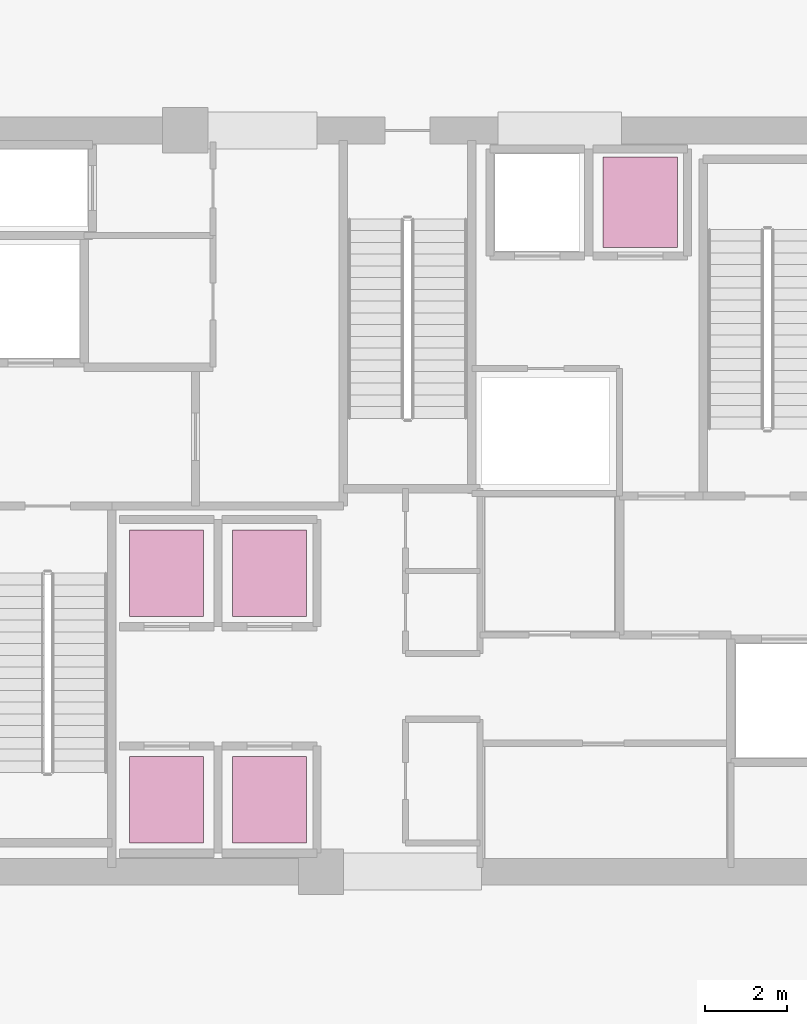
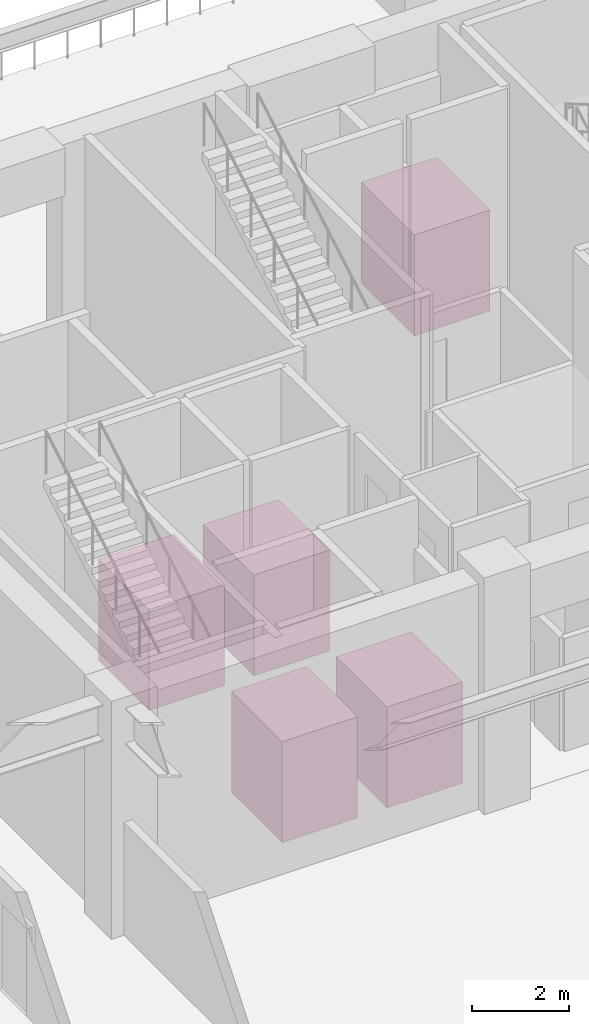
# One storey, part 41 of 41: 5 transport elements.
"""IFC4 building model written with IfcOpenShell, lengths in metres."""

from ifc_helpers import new_model, si_unit, direction, frame, origin, origin_2d, place, context, subcontext, project, spatial, rectangle, extrude, material, type_object, element, save


model = new_model("IFC4")

# Units and contexts
model_context = context("Model", 3, precision=1e-05, world=origin(), true_north=direction((0.0, 1.0)))
body_context = subcontext(model_context, "Body", "Model", "MODEL_VIEW")
ifc_project = project(units=[si_unit("LENGTHUNIT", "METRE"), si_unit("AREAUNIT", "SQUARE_METRE"), si_unit("VOLUMEUNIT", "CUBIC_METRE"), si_unit("PLANEANGLEUNIT", "RADIAN"), si_unit("MASSUNIT", "GRAM", prefix="KILO")], contexts=[model_context])

# Site, building, storey
site_placement = place(None, origin())
site = spatial("IfcSite", under=ifc_project, at=site_placement, CompositionType="ELEMENT")
building_placement = place(site_placement, origin())
building = spatial("IfcBuilding", under=site, at=building_placement, Name="Kovane Verandah Tower", CompositionType="ELEMENT")
storey_placement = place(building_placement, origin())
storey = spatial("IfcBuildingStorey", under=building, at=storey_placement, Name="L00", CompositionType="ELEMENT", Elevation=0.0)

# Transport elements
ifc_material = material(Name="Stainless Steel Lift Car Assembly", Category="steel")
transport_element_type = type_object("IfcTransportElementType", Name="LF-CAR-1800", PredefinedType="ELEVATOR", material=ifc_material)
for number, where, z_axis, x_axis, name in (
    (1, (34.14990234375, 20.25, 0.0), (0.0, 0.0, 1.0), (1.0, 0.0, 0.0), "Lift Car PL-L1"),
    (2, (36.64990234375, 20.25, 0.0), (0.0, 0.0, 1.0), (1.0, 0.0, 0.0), "Lift Car PL-L2"),
    (3, (34.14990234375, 25.75, 0.0), (0.0, 0.0, 1.0), (1.0, 0.0, 0.0), "Lift Car PL-L3"),
    (4, (36.64990234375, 25.75, 0.0), (0.0, 0.0, 1.0), (1.0, 0.0, 0.0), "Lift Car PL-L4"),
):
    element("IfcTransportElement", number, at=place(storey_placement, frame(where, z_axis=z_axis, x_axis=x_axis)), inside=storey, type_object=transport_element_type, Name=name, PredefinedType="ELEVATOR", context=body_context, shape_type="SweptSolid", body=[
        extrude(rectangle(XDim=1.800048828125, YDim=2.10009765625, at=origin_2d()), origin(), (0.0, 0.0, 1.0), 2.550048828125),
    ])
transport_element_placement = place(storey_placement, frame((45.64990234375, 34.75, 0.0), z_axis=(0.0, 0.0, 1.0), x_axis=(1.0, 0.0, 0.0)))
element("IfcTransportElement", 5, at=transport_element_placement, inside=storey, type_object=transport_element_type, Name="Lift Car OL-01", PredefinedType="ELEVATOR", context=body_context, shape_type="SweptSolid", body=[
    extrude(rectangle(XDim=1.800048828125, YDim=2.199951171875, at=origin_2d()), origin(), (0.0, 0.0, 1.0), 2.550048828125),
])

save(model, "model.ifc")
